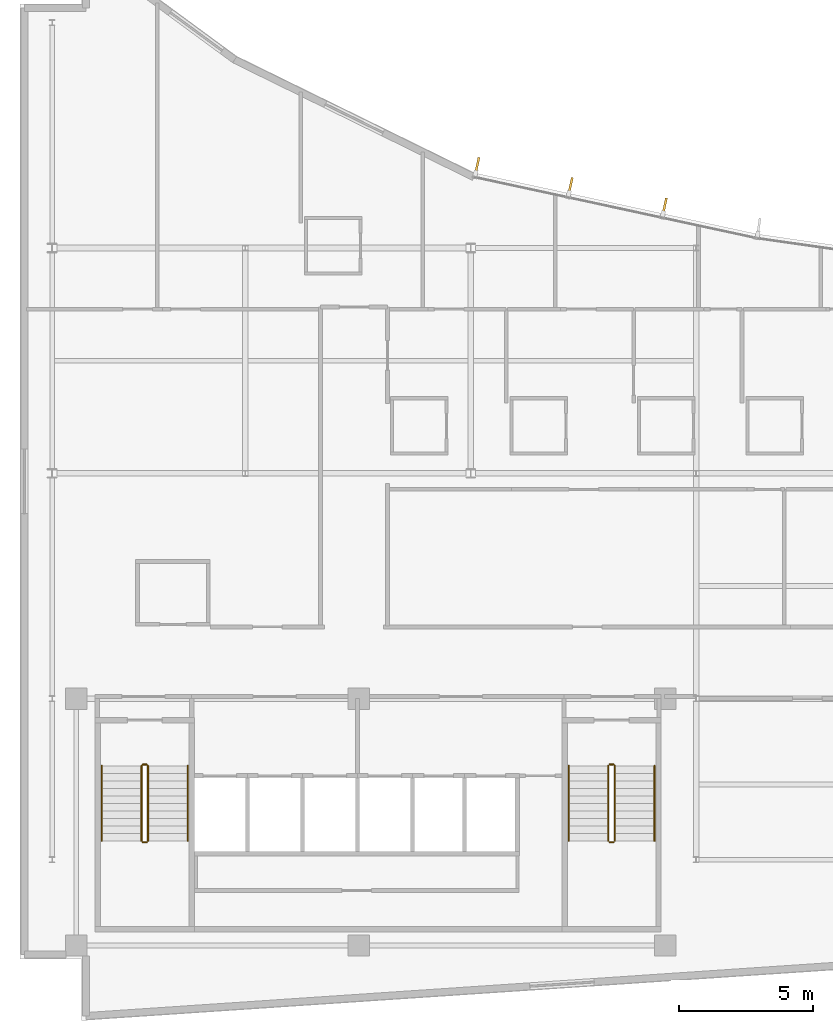
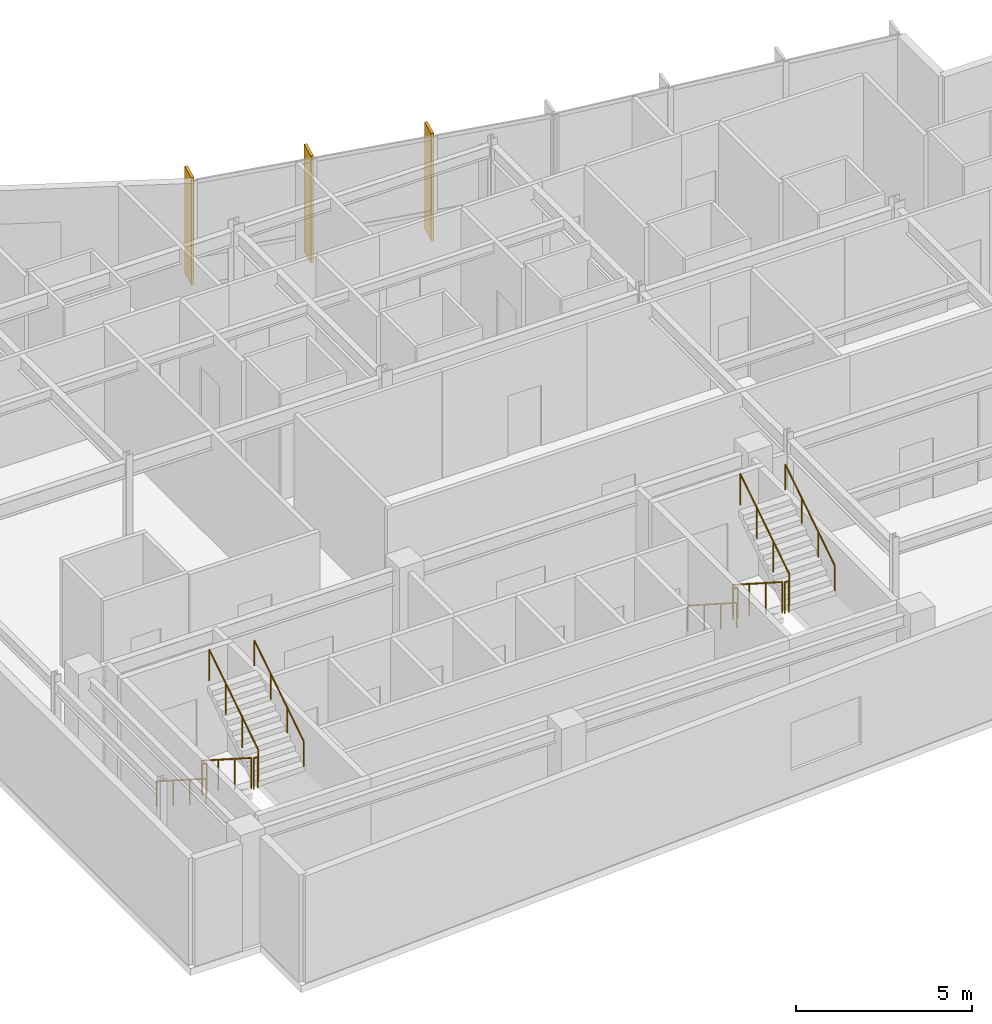
# One storey, part 14 of 16: 12 railings, 3 shading devices.
"""IFC4 building model written with IfcOpenShell, lengths in metres."""

from ifc_helpers import new_model, si_unit, direction, frame, origin, origin_2d, place, context, subcontext, project, spatial, rectangle, circle, extrude, material, layer, layer_set, type_object, element, save


model = new_model("IFC4")

# Units and contexts
model_context = context("Model", 3, precision=1e-05, world=origin(), true_north=direction((0.0, 1.0)))
body_context = subcontext(model_context, "Body", "Model", "MODEL_VIEW")
ifc_project = project(units=[si_unit("LENGTHUNIT", "METRE"), si_unit("AREAUNIT", "SQUARE_METRE"), si_unit("VOLUMEUNIT", "CUBIC_METRE"), si_unit("PLANEANGLEUNIT", "RADIAN"), si_unit("MASSUNIT", "GRAM", prefix="KILO")], contexts=[model_context])

# Site, building, storey
site_placement = place(None, origin())
site = spatial("IfcSite", under=ifc_project, at=site_placement, CompositionType="ELEMENT")
building_placement = place(site_placement, origin())
building = spatial("IfcBuilding", under=site, at=building_placement, Name="Varnakote Quay Hospital", CompositionType="ELEMENT")
storey_placement = place(building_placement, frame((0.0, 0.0, 292.10009765625)))
storey = spatial("IfcBuildingStorey", under=building, at=storey_placement, Name="L72", CompositionType="ELEMENT", Elevation=292.10009765625)

# Railings
ifc_material_1 = material(Name="Brushed stainless steel balustrade", Category="steel")
railing_type_1 = type_object("IfcRailingType", Name="RLG-STAIR-GUARD-1150", PredefinedType="GUARDRAIL", material=ifc_material_1)
railing_1_placement = place(storey_placement, frame((4.530029296875, 9.5, 0.179443359375)))
element("IfcRailing", 1, at=railing_1_placement, inside=storey, type_object=railing_type_1, Name="L72 ST-01 stair guard 1", PredefinedType="GUARDRAIL", context=body_context, shape_type="SweptSolid", body=[
    extrude(circle(Radius=0.02392578125, at=origin_2d()), frame((0.0, 0.0, 1.076171875), z_axis=(0.0, -0.841809871826, 0.539774156196), x_axis=(1.0, 0.0, 0.0)), (0.0, 0.0, 1.0), 3.326171875),
    extrude(circle(Radius=0.02099609375, at=origin_2d()), origin(), (0.0, 0.0, 1.0), 1.052001953125),
    extrude(circle(Radius=0.02099609375, at=origin_2d()), frame((0.0, -0.933349609375, 0.598388671875)), (0.0, 0.0, 1.0), 1.052001953125),
    extrude(circle(Radius=0.02099609375, at=origin_2d()), frame((0.0, -1.86669921875, 1.197021484375)), (0.0, 0.0, 1.0), 1.052001953125),
    extrude(circle(Radius=0.02099609375, at=origin_2d()), frame((0.0, -2.800048828125, 1.79541015625)), (0.0, 0.0, 1.0), 1.052001953125),
])
railing_2_placement = place(storey_placement, frame((4.580078125, 6.64990234375, 1.974853515625)))
element("IfcRailing", 2, at=railing_2_placement, inside=storey, type_object=railing_type_1, Name="L72 ST-01 stair guard 2", PredefinedType="GUARDRAIL", context=body_context, shape_type="SweptSolid", body=[
    extrude(circle(Radius=0.02392578125, at=origin_2d()), frame((0.0, 0.0, 1.076171875), z_axis=(1.0, 0.0, 0.0), x_axis=(0.0, 1.0, 0.0)), (0.0, 0.0, 1.0), 0.139892578125),
    extrude(circle(Radius=0.02099609375, at=origin_2d()), origin(), (0.0, 0.0, 1.0), 1.052001953125),
    extrude(circle(Radius=0.02099609375, at=origin_2d()), frame((0.139892578125, 0.0, 0.0)), (0.0, 0.0, 1.0), 1.052001953125),
])
railing_3_placement = place(storey_placement, frame((4.77001953125, 6.699951171875, 2.154541015625)))
element("IfcRailing", 3, at=railing_3_placement, inside=storey, type_object=railing_type_1, Name="L72 ST-01 stair guard 3", PredefinedType="GUARDRAIL", context=body_context, shape_type="SweptSolid", body=[
    extrude(circle(Radius=0.02392578125, at=origin_2d()), frame((0.0, 0.0, 1.076171875), z_axis=(0.0, 0.841809871826, 0.539774156196), x_axis=(-1.0, 0.0, 0.0)), (0.0, 0.0, 1.0), 3.326171875),
    extrude(circle(Radius=0.02099609375, at=origin_2d()), origin(), (0.0, 0.0, 1.0), 1.052001953125),
    extrude(circle(Radius=0.02099609375, at=origin_2d()), frame((0.0, 0.933349609375, 0.598388671875)), (0.0, 0.0, 1.0), 1.052001953125),
    extrude(circle(Radius=0.02099609375, at=origin_2d()), frame((0.0, 1.86669921875, 1.197021484375)), (0.0, 0.0, 1.0), 1.052001953125),
    extrude(circle(Radius=0.02099609375, at=origin_2d()), frame((0.0, 2.800048828125, 1.79541015625)), (0.0, 0.0, 1.0), 1.052001953125),
])
railing_4_placement = place(storey_placement, frame((4.580078125, 9.550048828125, 0.0)))
element("IfcRailing", 4, at=railing_4_placement, inside=storey, type_object=railing_type_1, Name="L72 ST-01 stair guard 4", PredefinedType="GUARDRAIL", context=body_context, shape_type="SweptSolid", body=[
    extrude(circle(Radius=0.02392578125, at=origin_2d()), frame((0.0, 0.0, 1.076171875), z_axis=(1.0, 0.0, 0.0), x_axis=(0.0, 1.0, 0.0)), (0.0, 0.0, 1.0), 0.139892578125),
    extrude(circle(Radius=0.02099609375, at=origin_2d()), origin(), (0.0, 0.0, 1.0), 1.052001953125),
    extrude(circle(Radius=0.02099609375, at=origin_2d()), frame((0.139892578125, 0.0, 0.0)), (0.0, 0.0, 1.0), 1.052001953125),
])
railing_5_placement = place(storey_placement, frame((21.929931640625, 9.5, 0.179443359375)))
element("IfcRailing", 5, at=railing_5_placement, inside=storey, type_object=railing_type_1, Name="L72 ST-02 stair guard 1", PredefinedType="GUARDRAIL", context=body_context, shape_type="SweptSolid", body=[
    extrude(circle(Radius=0.02392578125, at=origin_2d()), frame((0.0, 0.0, 1.076171875), z_axis=(0.0, -0.841809871826, 0.539774156196), x_axis=(1.0, 0.0, 0.0)), (0.0, 0.0, 1.0), 3.326171875),
    extrude(circle(Radius=0.02099609375, at=origin_2d()), origin(), (0.0, 0.0, 1.0), 1.052001953125),
    extrude(circle(Radius=0.02099609375, at=origin_2d()), frame((0.0, -0.933349609375, 0.598388671875)), (0.0, 0.0, 1.0), 1.052001953125),
    extrude(circle(Radius=0.02099609375, at=origin_2d()), frame((0.0, -1.86669921875, 1.197021484375)), (0.0, 0.0, 1.0), 1.052001953125),
    extrude(circle(Radius=0.02099609375, at=origin_2d()), frame((0.0, -2.800048828125, 1.79541015625)), (0.0, 0.0, 1.0), 1.052001953125),
])
railing_6_placement = place(storey_placement, frame((21.97998046875, 6.64990234375, 1.974853515625)))
element("IfcRailing", 6, at=railing_6_placement, inside=storey, type_object=railing_type_1, Name="L72 ST-02 stair guard 2", PredefinedType="GUARDRAIL", context=body_context, shape_type="SweptSolid", body=[
    extrude(circle(Radius=0.02392578125, at=origin_2d()), frame((0.0, 0.0, 1.076171875), z_axis=(1.0, 0.0, 0.0), x_axis=(0.0, 1.0, 0.0)), (0.0, 0.0, 1.0), 0.14013671875),
    extrude(circle(Radius=0.02099609375, at=origin_2d()), origin(), (0.0, 0.0, 1.0), 1.052001953125),
    extrude(circle(Radius=0.02099609375, at=origin_2d()), frame((0.14013671875, 0.0, 0.0)), (0.0, 0.0, 1.0), 1.052001953125),
])
railing_7_placement = place(storey_placement, frame((22.169921875, 6.699951171875, 2.154541015625)))
element("IfcRailing", 7, at=railing_7_placement, inside=storey, type_object=railing_type_1, Name="L72 ST-02 stair guard 3", PredefinedType="GUARDRAIL", context=body_context, shape_type="SweptSolid", body=[
    extrude(circle(Radius=0.02392578125, at=origin_2d()), frame((0.0, 0.0, 1.076171875), z_axis=(0.0, 0.841809871826, 0.539774156196), x_axis=(-1.0, 0.0, 0.0)), (0.0, 0.0, 1.0), 3.326171875),
    extrude(circle(Radius=0.02099609375, at=origin_2d()), origin(), (0.0, 0.0, 1.0), 1.052001953125),
    extrude(circle(Radius=0.02099609375, at=origin_2d()), frame((0.0, 0.933349609375, 0.598388671875)), (0.0, 0.0, 1.0), 1.052001953125),
    extrude(circle(Radius=0.02099609375, at=origin_2d()), frame((0.0, 1.86669921875, 1.197021484375)), (0.0, 0.0, 1.0), 1.052001953125),
    extrude(circle(Radius=0.02099609375, at=origin_2d()), frame((0.0, 2.800048828125, 1.79541015625)), (0.0, 0.0, 1.0), 1.052001953125),
])
railing_8_placement = place(storey_placement, frame((21.97998046875, 9.550048828125, 0.0)))
element("IfcRailing", 8, at=railing_8_placement, inside=storey, type_object=railing_type_1, Name="L72 ST-02 stair guard 4", PredefinedType="GUARDRAIL", context=body_context, shape_type="SweptSolid", body=[
    extrude(circle(Radius=0.02392578125, at=origin_2d()), frame((0.0, 0.0, 1.076171875), z_axis=(1.0, 0.0, 0.0), x_axis=(0.0, 1.0, 0.0)), (0.0, 0.0, 1.0), 0.14013671875),
    extrude(circle(Radius=0.02099609375, at=origin_2d()), origin(), (0.0, 0.0, 1.0), 1.052001953125),
    extrude(circle(Radius=0.02099609375, at=origin_2d()), frame((0.14013671875, 0.0, 0.0)), (0.0, 0.0, 1.0), 1.052001953125),
])
ifc_material_2 = material(Name="Brushed stainless steel handrail", Category="steel")
railing_type_2 = type_object("IfcRailingType", Name="RLG-STAIR-HND-920", PredefinedType="HANDRAIL", material=ifc_material_2)
railing_9_placement = place(storey_placement, frame((3.050048828125, 9.5, 0.179443359375)))
element("IfcRailing", 9, at=railing_9_placement, inside=storey, type_object=railing_type_2, Name="L72 ST-01 stair handrail 1", PredefinedType="HANDRAIL", context=body_context, shape_type="SweptSolid", body=[
    extrude(circle(Radius=0.02392578125, at=origin_2d()), frame((0.0, 0.0, 0.8759765625), z_axis=(0.0, -0.841809871826, 0.539774156196), x_axis=(1.0, 0.0, 0.0)), (0.0, 0.0, 1.0), 3.326171875),
    extrude(circle(Radius=0.02099609375, at=origin_2d()), origin(), (0.0, 0.0, 1.0), 0.851806640625),
    extrude(circle(Radius=0.02099609375, at=origin_2d()), frame((0.0, -0.933349609375, 0.598388671875)), (0.0, 0.0, 1.0), 0.851806640625),
    extrude(circle(Radius=0.02099609375, at=origin_2d()), frame((0.0, -1.86669921875, 1.197021484375)), (0.0, 0.0, 1.0), 0.851806640625),
    extrude(circle(Radius=0.02099609375, at=origin_2d()), frame((0.0, -2.800048828125, 1.79541015625)), (0.0, 0.0, 1.0), 0.851806640625),
])
railing_10_placement = place(storey_placement, frame((6.25, 6.699951171875, 2.154541015625)))
element("IfcRailing", 10, at=railing_10_placement, inside=storey, type_object=railing_type_2, Name="L72 ST-01 stair handrail 2", PredefinedType="HANDRAIL", context=body_context, shape_type="SweptSolid", body=[
    extrude(circle(Radius=0.02392578125, at=origin_2d()), frame((0.0, 0.0, 0.8759765625), z_axis=(0.0, 0.841809871826, 0.539774156196), x_axis=(-1.0, 0.0, 0.0)), (0.0, 0.0, 1.0), 3.326171875),
    extrude(circle(Radius=0.02099609375, at=origin_2d()), origin(), (0.0, 0.0, 1.0), 0.851806640625),
    extrude(circle(Radius=0.02099609375, at=origin_2d()), frame((0.0, 0.933349609375, 0.598388671875)), (0.0, 0.0, 1.0), 0.851806640625),
    extrude(circle(Radius=0.02099609375, at=origin_2d()), frame((0.0, 1.86669921875, 1.197021484375)), (0.0, 0.0, 1.0), 0.851806640625),
    extrude(circle(Radius=0.02099609375, at=origin_2d()), frame((0.0, 2.800048828125, 1.79541015625)), (0.0, 0.0, 1.0), 0.851806640625),
])
railing_11_placement = place(storey_placement, frame((20.449951171875, 9.5, 0.179443359375)))
element("IfcRailing", 11, at=railing_11_placement, inside=storey, type_object=railing_type_2, Name="L72 ST-02 stair handrail 1", PredefinedType="HANDRAIL", context=body_context, shape_type="SweptSolid", body=[
    extrude(circle(Radius=0.02392578125, at=origin_2d()), frame((0.0, 0.0, 0.8759765625), z_axis=(0.0, -0.841809871826, 0.539774156196), x_axis=(1.0, 0.0, 0.0)), (0.0, 0.0, 1.0), 3.326171875),
    extrude(circle(Radius=0.02099609375, at=origin_2d()), origin(), (0.0, 0.0, 1.0), 0.851806640625),
    extrude(circle(Radius=0.02099609375, at=origin_2d()), frame((0.0, -0.933349609375, 0.598388671875)), (0.0, 0.0, 1.0), 0.851806640625),
    extrude(circle(Radius=0.02099609375, at=origin_2d()), frame((0.0, -1.86669921875, 1.197021484375)), (0.0, 0.0, 1.0), 0.851806640625),
    extrude(circle(Radius=0.02099609375, at=origin_2d()), frame((0.0, -2.800048828125, 1.79541015625)), (0.0, 0.0, 1.0), 0.851806640625),
])
railing_12_placement = place(storey_placement, frame((23.64990234375, 6.699951171875, 2.154541015625)))
element("IfcRailing", 12, at=railing_12_placement, inside=storey, type_object=railing_type_2, Name="L72 ST-02 stair handrail 2", PredefinedType="HANDRAIL", context=body_context, shape_type="SweptSolid", body=[
    extrude(circle(Radius=0.02392578125, at=origin_2d()), frame((0.0, 0.0, 0.8759765625), z_axis=(0.0, 0.841809871826, 0.539774156196), x_axis=(-1.0, 0.0, 0.0)), (0.0, 0.0, 1.0), 3.326171875),
    extrude(circle(Radius=0.02099609375, at=origin_2d()), origin(), (0.0, 0.0, 1.0), 0.851806640625),
    extrude(circle(Radius=0.02099609375, at=origin_2d()), frame((0.0, 0.933349609375, 0.598388671875)), (0.0, 0.0, 1.0), 0.851806640625),
    extrude(circle(Radius=0.02099609375, at=origin_2d()), frame((0.0, 1.86669921875, 1.197021484375)), (0.0, 0.0, 1.0), 0.851806640625),
    extrude(circle(Radius=0.02099609375, at=origin_2d()), frame((0.0, 2.800048828125, 1.79541015625)), (0.0, 0.0, 1.0), 0.851806640625),
])

# Shading devices
ifc_material_3 = material(Name="Anodised aluminium 6063-T6 Bronze", Category="aluminium")
ifc_layer = layer(ifc_material_3, 0.0849609375)
ifc_layer_set = layer_set([ifc_layer], Name="Anodised aluminium 6063-T6 Bronze")
shading_device_type = type_object("IfcShadingDeviceType", Name="SHD-BRONZE-FIN-620", PredefinedType="USERDEFINED", material=ifc_layer_set)
for number, where, z_axis, x_axis, name in (
    (13, (24.029296875, 30.361328125, 0.0), (0.0, 0.0, 1.0), (-0.211324796455, -0.977415894286, 0.0), "L72 Anodised Bronze Vertical Shading FIN"),
    (14, (20.519775390625, 31.120361328125, 0.0), (0.0, 0.0, 1.0), (-0.211324796455, -0.977415894286, 0.0), "L72 Anodised Bronze Vertical Shading FIN"),
    (15, (17.0419921875, 31.872802734375, 0.0), (0.0, 0.0, 1.0), (-0.211324796455, -0.977415894286, 0.0), "L72 Anodised Bronze Vertical Shading FIN"),
):
    element("IfcShadingDevice", number, at=place(storey_placement, frame(where, z_axis=z_axis, x_axis=x_axis)), inside=storey, type_object=shading_device_type, Name=name, ObjectType="FIN", PredefinedType="USERDEFINED", context=body_context, shape_type="SweptSolid", body=[
        extrude(rectangle(XDim=0.6201171875, YDim=0.0849609375, at=origin_2d()), origin(), (0.0, 0.0, 1.0), 3.7099609375),
    ])

save(model, "model.ifc")
